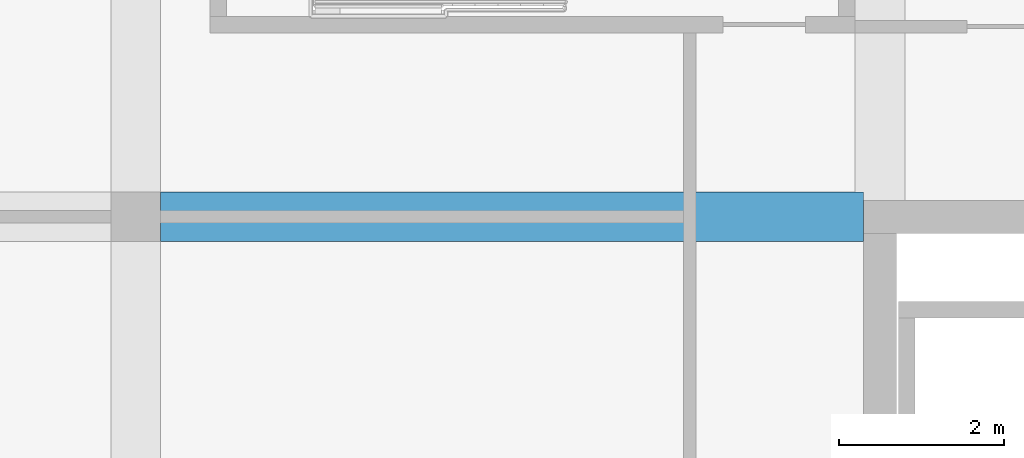
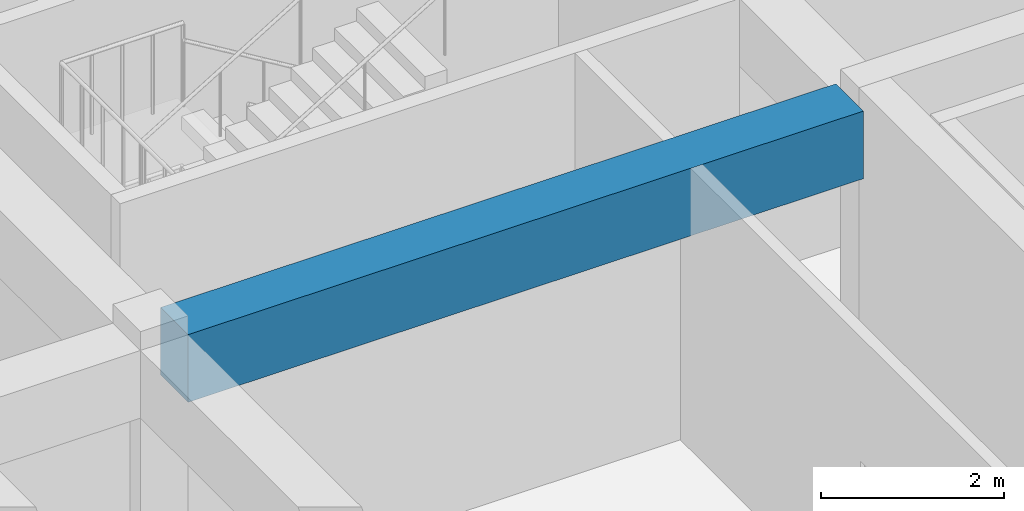
# One storey, part 14 of 35: 1 beam.
"""IFC4 building model written with IfcOpenShell, lengths in metres."""

from ifc_helpers import new_model, si_unit, direction, frame, origin, origin_2d, place, context, subcontext, project, spatial, rectangle, extrude, material, material_profile, profile_set, type_object, element, save


model = new_model("IFC4")

# Units and contexts
model_context = context("Model", 3, precision=1e-05, world=origin(), true_north=direction((0.0, 1.0)))
body_context = subcontext(model_context, "Body", "Model", "MODEL_VIEW")
ifc_project = project(units=[si_unit("LENGTHUNIT", "METRE"), si_unit("AREAUNIT", "SQUARE_METRE"), si_unit("VOLUMEUNIT", "CUBIC_METRE"), si_unit("PLANEANGLEUNIT", "RADIAN"), si_unit("MASSUNIT", "GRAM", prefix="KILO")], contexts=[model_context])

# Site, building, storey
site_placement = place(None, origin())
site = spatial("IfcSite", under=ifc_project, at=site_placement, CompositionType="ELEMENT")
building_placement = place(site_placement, origin())
building = spatial("IfcBuilding", under=site, at=building_placement, Name="Tuart Plaza Theatre", CompositionType="ELEMENT")
storey_placement = place(building_placement, frame((0.0, 0.0, 45.5)))
storey = spatial("IfcBuildingStorey", under=building, at=storey_placement, Name="L11", CompositionType="ELEMENT", Elevation=45.5)

# Beam
ifc_material = material(Name="Concrete N40 (40 MPa)", Category="concrete")
ifc_material_profile = material_profile(ifc_material, rectangle(XDim=0.60009765625, YDim=0.89990234375, at=origin_2d()), Name="BEAM 600x900 Concrete N40 (40 MPa)")
ifc_profile_set = profile_set([ifc_material_profile], Name="Concrete N40 (40 MPa)")
beam_type = type_object("IfcBeamType", Name="BEAM 600x900 Concrete N40 (40 MPa)", PredefinedType="BEAM", material=ifc_profile_set)
beam_placement = place(storey_placement, frame((114.300048828125, 83.0, 3.300048828125), z_axis=(1.0, 0.0, 0.0), x_axis=(0.0, 1.0, 0.0)))
element("IfcBeam", 1, at=beam_placement, inside=storey, type_object=beam_type, Name="RB294", PredefinedType="BEAM", context=body_context, shape_type="SweptSolid", body=[
    extrude(rectangle(XDim=0.60009765625, YDim=0.89990234375, at=origin_2d()), origin(), (0.0, 0.0, 1.0), 8.5),
])

save(model, "model.ifc")
